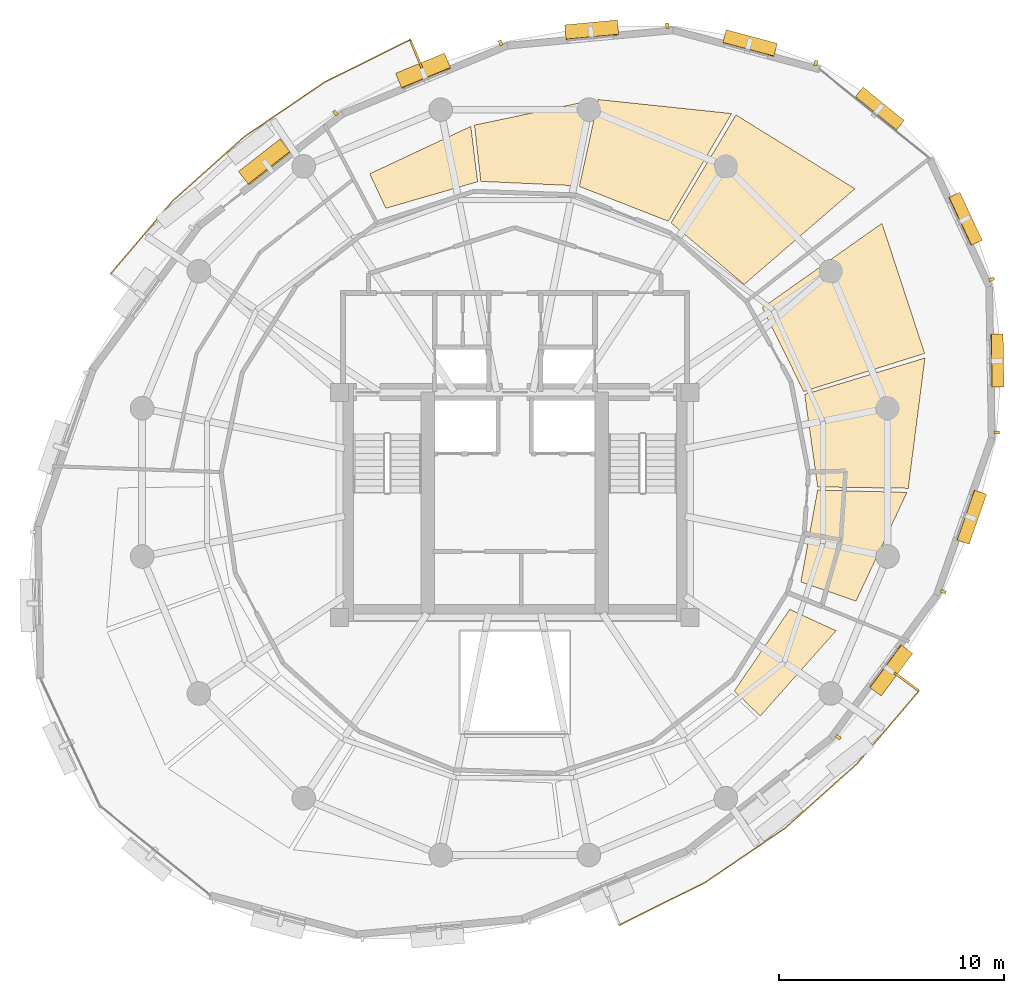
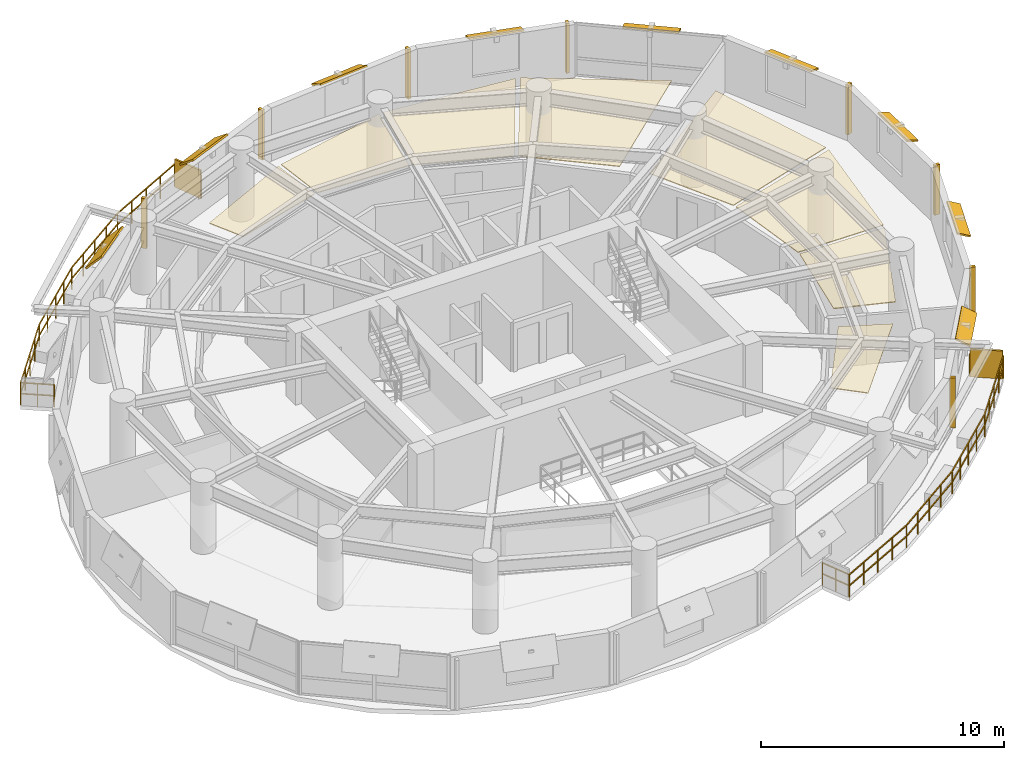
# One storey, part 12 of 12: 19 shading devices, 8 coverings, 2 railings.
"""IFC4 building model written with IfcOpenShell, lengths in metres."""

import ifcopenshell
import ifcopenshell.guid

model = None  # the IFC model being written
_history = None  # IfcOwnerHistory: only IFC2X3 demands one
_inside = {}  # id of a spatial element -> (the spatial element, [elements in it])
_under = {}  # id of a project, library or spatial element -> (it, [spatial elements below it])
_declared = {}  # id of a project -> (the project, [libraries it declares])
_typed = {}  # id of a type object -> (the type object, [elements of that type])
_made_of = {}  # id of a material, layer set ... -> (it, [elements and type objects made of it])


def new_model(schema):
    """Start an empty IFC model of exactly this schema.

    Asked for "IFC4X3", IfcOpenShell would pick the latest addendum, in which some entities
    have other attributes; the version numbers below select the first issue.
    IFC2X3 requires an IfcOwnerHistory on every rooted entity: one is made here for all.
    """
    global model, _history
    if schema == "IFC4X3":
        model = ifcopenshell.file(schema_version=(4, 3, 0, 0))
    else:
        model = ifcopenshell.file(schema=schema)
    _inside.clear()
    _under.clear()
    _declared.clear()
    _typed.clear()
    _made_of.clear()
    _history = None
    if model.schema == "IFC2X3":
        org = make("IfcOrganization", Name="unknown")
        user = make(
            "IfcPersonAndOrganization",
            ThePerson=make("IfcPerson", FamilyName="unknown"),
            TheOrganization=org,
        )
        app = make(
            "IfcApplication",
            ApplicationDeveloper=org,
            Version="unknown",
            ApplicationFullName="unknown",
            ApplicationIdentifier="unknown",
        )
        _history = make(
            "IfcOwnerHistory",
            OwningUser=user,
            OwningApplication=app,
            ChangeAction="ADDED",
            CreationDate=0,
        )
    return model


def make(cls, **values):
    """One entity of the class cls with the attributes given. An attribute that is None is left unset."""
    return model.create_entity(
        cls, **{name: value for name, value in values.items() if value is not None}
    )


def rooted(cls, **values):
    """An entity with a GlobalId (a new one), such as an element, a storey or a relation."""
    return make(cls, GlobalId=ifcopenshell.guid.new(), OwnerHistory=_history, **values)


def si_unit(unit_type, name, prefix=None):
    """IfcSIUnit, for example si_unit("LENGTHUNIT", "METRE", prefix="MILLI")."""
    return make("IfcSIUnit", UnitType=unit_type, Prefix=prefix, Name=name)


def assignment(units):
    """IfcUnitAssignment: the units of a project."""
    return None if units is None else make("IfcUnitAssignment", Units=units)


def point(xyz):
    """IfcCartesianPoint."""
    return None if xyz is None else make("IfcCartesianPoint", Coordinates=xyz)


def direction(xyz):
    """IfcDirection."""
    return None if xyz is None else make("IfcDirection", DirectionRatios=xyz)


def frame(location, z_axis=None, x_axis=None):
    """IfcAxis2Placement3D, a coordinate frame: its origin and axes. An axis left out is left unset."""
    return make(
        "IfcAxis2Placement3D",
        Location=point(location),
        Axis=direction(z_axis),
        RefDirection=direction(x_axis),
    )


def frame_2d(location, x_axis=None):
    """IfcAxis2Placement2D, a coordinate frame in the plane: its origin and x axis."""
    return make(
        "IfcAxis2Placement2D", Location=point(location), RefDirection=direction(x_axis)
    )


def origin():
    """The frame at (0, 0, 0) with its axes left unset."""
    return frame((0.0, 0.0, 0.0))


def origin_2d():
    """The frame at (0, 0) in the plane with its x axis left unset."""
    return frame_2d((0.0, 0.0))


def place(relative_to, where):
    """IfcLocalPlacement: puts the frame where relative to a parent placement (None: the world)."""
    return make(
        "IfcLocalPlacement", PlacementRelTo=relative_to, RelativePlacement=where
    )


def context(
    kind, dimensions, precision=None, world=None, true_north=None, identifier=None
):
    """IfcGeometricRepresentationContext, for example the 3D "Model" context."""
    return make(
        "IfcGeometricRepresentationContext",
        ContextIdentifier=identifier,
        ContextType=kind,
        CoordinateSpaceDimension=dimensions,
        Precision=precision,
        WorldCoordinateSystem=world,
        TrueNorth=true_north,
    )


def subcontext(parent, identifier, kind, view, scale=None):
    """IfcGeometricRepresentationSubContext, for example "Body" below "Model"."""
    return make(
        "IfcGeometricRepresentationSubContext",
        ContextIdentifier=identifier,
        ContextType=kind,
        ParentContext=parent,
        TargetScale=scale,
        TargetView=view,
    )


def project(units=None, contexts=None):
    """IfcProject with its units and contexts."""
    return rooted(
        "IfcProject",
        Name="project",
        RepresentationContexts=contexts,
        UnitsInContext=assignment(units),
    )


def spatial(cls, under=None, at=None, **own):
    """A site, building, storey or space (cls), placed at a placement, below another one or the project."""
    s = rooted(cls, ObjectPlacement=at, **own)
    if under is not None:
        _under.setdefault(under.id(), (under, []))[1].append(s)
    return s


def polyline(points):
    """IfcPolyline through the points."""
    return make("IfcPolyline", Points=[point(p) for p in points])


def profile(cls, at=None, kind="AREA", **sizes):
    """A parametric profile (cls). Its sizes go by their IFC names, for example OverallWidth=200.0."""
    return make(cls, ProfileType=kind, Position=at, **sizes)


def rectangle(**sizes):
    """IfcRectangleProfileDef."""
    return profile("IfcRectangleProfileDef", **sizes)


def outline(outer, holes=None, kind="AREA"):
    """IfcArbitraryClosedProfileDef: a profile drawn as a closed curve; with holes, ...WithVoids."""
    if holes is None:
        return make("IfcArbitraryClosedProfileDef", ProfileType=kind, OuterCurve=outer)
    return make(
        "IfcArbitraryProfileDefWithVoids",
        ProfileType=kind,
        OuterCurve=outer,
        InnerCurves=holes,
    )


def extrude(swept, where, along, depth):
    """IfcExtrudedAreaSolid: the profile swept, set in the frame where, extruded along a direction by depth."""
    return make(
        "IfcExtrudedAreaSolid",
        SweptArea=swept,
        Position=where,
        ExtrudedDirection=direction(along),
        Depth=depth,
    )


def shape(context_of_items, identifier, shape_type, items):
    """IfcShapeRepresentation: the items that make up one representation, for example the "Body"."""
    return make(
        "IfcShapeRepresentation",
        ContextOfItems=context_of_items,
        RepresentationIdentifier=identifier,
        RepresentationType=shape_type,
        Items=items,
    )


def material(Name=None, Category=None):
    """IfcMaterial."""
    return make("IfcMaterial", Name=Name, Category=Category)


def layer(
    of_material, thickness, ventilated=None, Name=None, Category=None, Priority=None
):
    """IfcMaterialLayer: one layer of a wall or slab, of a material (None: an air gap)."""
    return make(
        "IfcMaterialLayer",
        Material=of_material,
        LayerThickness=thickness,
        IsVentilated=ventilated,
        Name=Name,
        Category=Category,
        Priority=Priority,
    )


def layer_set(layers, Name=None):
    """IfcMaterialLayerSet."""
    return make("IfcMaterialLayerSet", MaterialLayers=layers, LayerSetName=Name)


def made_of(thing, what):
    """Note that an element or type object is made of a material, layer set ...; save() writes the relation."""
    if what is not None:
        _made_of.setdefault(what.id(), (what, []))[1].append(thing)
    return thing


def type_object(cls, material=None, **own):
    """A type object (cls), such as IfcWallType, which elements share."""
    return made_of(rooted(cls, **own), material)


def element(
    cls,
    number,
    at=None,
    inside=None,
    cuts=None,
    type_object=None,
    material=None,
    context=None,
    identifier="Body",
    shape_type=None,
    held_by="IfcProductDefinitionShape",
    body=None,
    shapes=None,
    **own,
):
    """One element of the class cls, such as IfcWall. Its Tag is "e" and its number.

    at: its placement. inside: the storey or other place that contains it. cuts: it is an
    opening in that element (IfcRelVoidsElement). A single representation is given by context,
    identifier, shape_type and body (its items); several are given by shapes. held_by: the class
    of the entity that holds the representations. save() writes the other relations.
    """
    e = rooted(cls, Tag="e%d" % number, ObjectPlacement=at, **own)
    if body is not None:
        shapes = [shape(context, identifier, shape_type, body)]
    if shapes is not None:
        e.Representation = make(held_by, Representations=shapes)
    if inside is not None:
        _inside.setdefault(inside.id(), (inside, []))[1].append(e)
    if cuts is not None:
        rooted(
            "IfcRelVoidsElement", RelatingBuildingElement=cuts, RelatedOpeningElement=e
        )
    if type_object is not None:
        _typed.setdefault(type_object.id(), (type_object, []))[1].append(e)
    return made_of(e, material)


def aggregate(whole, parts):
    """IfcRelAggregates: a whole, such as a stair, and the parts it consists of."""
    return rooted("IfcRelAggregates", RelatingObject=whole, RelatedObjects=parts)


def save(model, path):
    """Write the relations noted so far, then the file.

    IfcRelAggregates (storeys below a building ...), IfcRelContainedInSpatialStructure (elements
    in a storey), IfcRelDefinesByType, IfcRelAssociatesMaterial and IfcRelDeclares: one each for
    every whole, place, type object, material and project.
    """
    for whole, parts in _under.values():
        aggregate(whole, parts)
    for where, things in _inside.values():
        rooted(
            "IfcRelContainedInSpatialStructure",
            RelatedElements=things,
            RelatingStructure=where,
        )
    for kind, things in _typed.values():
        rooted("IfcRelDefinesByType", RelatedObjects=things, RelatingType=kind)
    for what, things in _made_of.values():
        rooted("IfcRelAssociatesMaterial", RelatedObjects=things, RelatingMaterial=what)
    for by, libraries in _declared.values():
        rooted("IfcRelDeclares", RelatingContext=by, RelatedDefinitions=libraries)
    model.write(path)


model = new_model("IFC4")

# Units and contexts
model_context = context("Model", 3, precision=1e-05, world=origin(), true_north=direction((0.0, 1.0)))
body_context = subcontext(model_context, "Body", "Model", "MODEL_VIEW")
ifc_project = project(units=[si_unit("LENGTHUNIT", "METRE"), si_unit("AREAUNIT", "SQUARE_METRE"), si_unit("VOLUMEUNIT", "CUBIC_METRE"), si_unit("PLANEANGLEUNIT", "RADIAN"), si_unit("MASSUNIT", "GRAM", prefix="KILO"), si_unit("THERMODYNAMICTEMPERATUREUNIT", "KELVIN"), si_unit("POWERUNIT", "WATT")], contexts=[model_context])

# Site, building, storey
site_placement = place(None, origin())
site = spatial("IfcSite", under=ifc_project, at=site_placement, CompositionType="ELEMENT")
building_placement = place(site_placement, origin())
building = spatial("IfcBuilding", under=site, at=building_placement, Name="Ocrelia Relay Tower", CompositionType="ELEMENT")
storey_placement = place(building_placement, frame((0.0, 0.0, 191.60009765625)))
storey = spatial("IfcBuildingStorey", under=building, at=storey_placement, Name="L46", CompositionType="ELEMENT", Elevation=191.60009765625)

# Coverings
ifc_material_1 = material(Name="Mineral-fiber acoustic ceiling tile", Category="gypsum")
ifc_layer_1 = layer(ifc_material_1, 0.0400390625, Name="Mineral-fiber acoustic ceiling tile")
ifc_layer_set_1 = layer_set([ifc_layer_1], Name="Mineral-fiber acoustic ceiling tile")
covering_type = type_object("IfcCoveringType", Name="COV-CEIL-ACOUSTIC", PredefinedType="CEILING", material=ifc_layer_set_1)
covering_1_placement = place(storey_placement, frame((0.0, 0.0, 2.3798828125)))
element("IfcCovering", 1, at=covering_1_placement, inside=storey, type_object=covering_type, Name="L46 Shift Staff Lounge Suspended Ceiling 1", PredefinedType="CEILING", context=body_context, shape_type="SweptSolid", body=[
    extrude(outline(polyline([(46.720703125, 21.5703125), (49.173095703125, 20.71630859375), (51.440185546875, 25.553466796875), (47.465576171875, 25.6552734375), (46.720703125, 21.5703125)])), origin(), (0.0, 0.0, 1.0), 0.0400390625),
])
covering_2_placement = place(storey_placement, frame((0.0, 0.0, 2.3798828125)))
element("IfcCovering", 2, at=covering_2_placement, inside=storey, type_object=covering_type, Name="L46 Shift Staff Lounge Suspended Ceiling 2", PredefinedType="CEILING", context=body_context, shape_type="SweptSolid", body=[
    extrude(outline(polyline([(47.468505859375, 25.79638671875), (51.4970703125, 25.7353515625), (52.23974609375, 31.530029296875), (46.890625, 29.908203125), (47.468505859375, 25.79638671875)])), origin(), (0.0, 0.0, 1.0), 0.0400390625),
])
covering_3_placement = place(storey_placement, frame((0.0, 0.0, 2.3798828125)))
element("IfcCovering", 3, at=covering_3_placement, inside=storey, type_object=covering_type, Name="L46 Shift Staff Lounge Suspended Ceiling 3", PredefinedType="CEILING", context=body_context, shape_type="SweptSolid", body=[
    extrude(outline(polyline([(46.848876953125, 30.04296875), (52.225830078125, 31.73486328125), (50.327880859375, 37.51806640625), (45.0068359375, 33.764404296875), (46.848876953125, 30.04296875)])), origin(), (0.0, 0.0, 1.0), 0.0400390625),
])
covering_4_placement = place(storey_placement, frame((0.0, 0.0, 2.3798828125)))
element("IfcCovering", 4, at=covering_4_placement, inside=storey, type_object=covering_type, Name="L46 Cloud Engineering Workspace Suspended Ceiling 1", PredefinedType="CEILING", context=body_context, shape_type="SweptSolid", body=[
    extrude(outline(polyline([(44.19677734375, 34.801513671875), (49.1259765625, 39.056396484375), (43.838134765625, 42.34130859375), (40.947509765625, 37.5400390625), (44.19677734375, 34.801513671875)])), origin(), (0.0, 0.0, 1.0), 0.0400390625),
])
covering_5_placement = place(storey_placement, frame((0.0, 0.0, 2.3798828125)))
element("IfcCovering", 5, at=covering_5_placement, inside=storey, type_object=covering_type, Name="L46 Cloud Engineering Workspace Suspended Ceiling 2", PredefinedType="CEILING", context=body_context, shape_type="SweptSolid", body=[
    extrude(outline(polyline([(40.826416015625, 37.612060546875), (43.642333984375, 42.40234375), (37.712158203125, 43.025390625), (36.869384765625, 39.160888671875), (40.826416015625, 37.612060546875)])), origin(), (0.0, 0.0, 1.0), 0.0400390625),
])
covering_6_placement = place(storey_placement, frame((0.0, 0.0, 2.3798828125)))
element("IfcCovering", 6, at=covering_6_placement, inside=storey, type_object=covering_type, Name="L46 Cloud Engineering Workspace Suspended Ceiling 3", PredefinedType="CEILING", context=body_context, shape_type="SweptSolid", body=[
    extrude(outline(polyline([(36.7314453125, 39.190185546875), (37.52294921875, 43.011474609375), (32.2041015625, 41.886962890625), (32.48681640625, 39.384765625), (36.7314453125, 39.190185546875)])), origin(), (0.0, 0.0, 1.0), 0.0400390625),
])
covering_7_placement = place(storey_placement, frame((0.0, 0.0, 2.3798828125)))
element("IfcCovering", 7, at=covering_7_placement, inside=storey, type_object=covering_type, Name="L46 Cloud Engineering Workspace Suspended Ceiling 4", PredefinedType="CEILING", context=body_context, shape_type="SweptSolid", body=[
    extrude(outline(polyline([(32.3466796875, 39.3681640625), (32.042236328125, 41.830810546875), (27.543701171875, 39.720458984375), (28.264892578125, 38.18798828125), (32.3466796875, 39.3681640625)])), origin(), (0.0, 0.0, 1.0), 0.0400390625),
])
covering_8_placement = place(storey_placement, frame((0.0, 0.0, 2.3798828125)))
element("IfcCovering", 8, at=covering_8_placement, inside=storey, type_object=covering_type, Name="L46 Quiet Day Study Suspended Ceiling 8", PredefinedType="CEILING", context=body_context, shape_type="SweptSolid", body=[
    extrude(outline(polyline([(43.758544921875, 16.715087890625), (44.91845703125, 15.611572265625), (48.28515625, 19.3994140625), (46.227783203125, 20.35009765625), (43.758544921875, 16.715087890625)])), origin(), (0.0, 0.0, 1.0), 0.0400390625),
])

# Railings
ifc_material_2 = material(Name="Steel S355 balustrade", Category="steel")
railing_type = type_object("IfcRailingType", Name="RL-EXT-GUARD-1150", PredefinedType="GUARDRAIL", material=ifc_material_2)
railing_1_placement = place(storey_placement, frame((17.143798828125, 34.451171875, 0.0)))
element("IfcRailing", 9, at=railing_1_placement, inside=storey, type_object=railing_type, Name="L46 Loggia Balcony Guard Rail B1", PredefinedType="GUARDRAIL", context=body_context, shape_type="SweptSolid", body=[
    extrude(rectangle(XDim=0.048095703125, YDim=0.048095703125, at=origin_2d()), frame((0.0, 0.0, 1.1259765625), z_axis=(-0.805412390619, 0.592714839562, 0.0), x_axis=(-0.592714839562, -0.805412390619, 0.0)), (0.0, 0.0, 1.0), 1.3935546875),
    extrude(rectangle(XDim=0.048095703125, YDim=0.048095703125, at=origin_2d()), frame((0.0, 0.0, 0.574951171875), z_axis=(-0.805412390619, 0.592714839562, 0.0), x_axis=(-0.592714839562, -0.805412390619, 0.0)), (0.0, 0.0, 1.0), 1.3935546875),
    extrude(rectangle(XDim=0.048095703125, YDim=0.048095703125, at=origin_2d()), frame((-1.122314453125, 0.825927734375, 1.1259765625), z_axis=(0.647874972666, 0.761746690044, 0.0), x_axis=(-0.761746690044, 0.647874972666, 0.0)), (0.0, 0.0, 1.0), 2.126953125),
    extrude(rectangle(XDim=0.048095703125, YDim=0.048095703125, at=origin_2d()), frame((-1.122314453125, 0.825927734375, 0.574951171875), z_axis=(0.647874972666, 0.761746690044, 0.0), x_axis=(-0.761746690044, 0.647874972666, 0.0)), (0.0, 0.0, 1.0), 2.126953125),
    extrude(rectangle(XDim=0.048095703125, YDim=0.048095703125, at=origin_2d()), frame((0.255615234375, 2.446044921875, 1.1259765625), z_axis=(0.647988286895, 0.761650300365, 0.0), x_axis=(-0.761650300365, 0.647988286895, 0.0)), (0.0, 0.0, 1.0), 2.12646484375),
    extrude(rectangle(XDim=0.048095703125, YDim=0.048095703125, at=origin_2d()), frame((0.255615234375, 2.446044921875, 0.574951171875), z_axis=(0.647988286895, 0.761650300365, 0.0), x_axis=(-0.761650300365, 0.647988286895, 0.0)), (0.0, 0.0, 1.0), 2.12646484375),
    extrude(rectangle(XDim=0.048095703125, YDim=0.048095703125, at=origin_2d()), frame((1.633544921875, 4.065673828125, 1.1259765625), z_axis=(0.745016997871, 0.667045480371, 0.0), x_axis=(-0.667045480371, 0.745016997871, 0.0)), (0.0, 0.0, 1.0), 4.299072265625),
    extrude(rectangle(XDim=0.048095703125, YDim=0.048095703125, at=origin_2d()), frame((1.633544921875, 4.065673828125, 0.574951171875), z_axis=(0.745016997871, 0.667045480371, 0.0), x_axis=(-0.667045480371, 0.745016997871, 0.0)), (0.0, 0.0, 1.0), 4.299072265625),
    extrude(rectangle(XDim=0.048095703125, YDim=0.048095703125, at=origin_2d()), frame((4.83642578125, 6.933349609375, 1.1259765625), z_axis=(0.827461639062, 0.561522248785, 0.0), x_axis=(-0.561522248785, 0.827461639062, 0.0)), (0.0, 0.0, 1.0), 4.299072265625),
    extrude(rectangle(XDim=0.048095703125, YDim=0.048095703125, at=origin_2d()), frame((4.83642578125, 6.933349609375, 0.574951171875), z_axis=(0.827461639062, 0.561522248785, 0.0), x_axis=(-0.561522248785, 0.827461639062, 0.0)), (0.0, 0.0, 1.0), 4.299072265625),
    extrude(rectangle(XDim=0.048095703125, YDim=0.048095703125, at=origin_2d()), frame((8.393798828125, 9.347412109375, 1.1259765625), z_axis=(0.895823425423, 0.444410160171, 0.0), x_axis=(-0.444410160171, 0.895823425423, 0.0)), (0.0, 0.0, 1.0), 2.12646484375),
    extrude(rectangle(XDim=0.048095703125, YDim=0.048095703125, at=origin_2d()), frame((8.393798828125, 9.347412109375, 0.574951171875), z_axis=(0.895823425423, 0.444410160171, 0.0), x_axis=(-0.444410160171, 0.895823425423, 0.0)), (0.0, 0.0, 1.0), 2.12646484375),
    extrude(rectangle(XDim=0.048095703125, YDim=0.048095703125, at=origin_2d()), frame((10.298828125, 10.29248046875, 1.1259765625), z_axis=(0.895823425423, 0.444410160171, 0.0), x_axis=(-0.444410160171, 0.895823425423, 0.0)), (0.0, 0.0, 1.0), 2.12646484375),
    extrude(rectangle(XDim=0.048095703125, YDim=0.048095703125, at=origin_2d()), frame((10.298828125, 10.29248046875, 0.574951171875), z_axis=(0.895823425423, 0.444410160171, 0.0), x_axis=(-0.444410160171, 0.895823425423, 0.0)), (0.0, 0.0, 1.0), 2.12646484375),
    extrude(rectangle(XDim=0.048095703125, YDim=0.048095703125, at=origin_2d()), frame((12.203857421875, 11.237548828125, 1.1259765625), z_axis=(0.380406075061, -0.924819559729, 0.0), x_axis=(0.924819559729, 0.380406075061, 0.0)), (0.0, 0.0, 1.0), 1.393310546875),
    extrude(rectangle(XDim=0.048095703125, YDim=0.048095703125, at=origin_2d()), frame((12.203857421875, 11.237548828125, 0.574951171875), z_axis=(0.380406075061, -0.924819559729, 0.0), x_axis=(0.924819559729, 0.380406075061, 0.0)), (0.0, 0.0, 1.0), 1.393310546875),
    extrude(rectangle(XDim=0.0419921875, YDim=0.0419921875, at=origin_2d()), origin(), (0.0, 0.0, 1.0), 1.101806640625),
    extrude(rectangle(XDim=0.0419921875, YDim=0.0419921875, at=origin_2d()), frame((-0.56103515625, 0.4130859375, 0.0)), (0.0, 0.0, 1.0), 1.101806640625),
    extrude(rectangle(XDim=0.0419921875, YDim=0.0419921875, at=origin_2d()), frame((-1.122314453125, 0.825927734375, 0.0)), (0.0, 0.0, 1.0), 1.101806640625),
    extrude(rectangle(XDim=0.0419921875, YDim=0.0419921875, at=origin_2d()), frame((-0.433349609375, 1.635986328125, 0.0)), (0.0, 0.0, 1.0), 1.101806640625),
    extrude(rectangle(XDim=0.0419921875, YDim=0.0419921875, at=origin_2d()), frame((0.255615234375, 2.446044921875, 0.0)), (0.0, 0.0, 1.0), 1.101806640625),
    extrude(rectangle(XDim=0.0419921875, YDim=0.0419921875, at=origin_2d()), frame((0.944580078125, 3.255859375, 0.0)), (0.0, 0.0, 1.0), 1.101806640625),
    extrude(rectangle(XDim=0.0419921875, YDim=0.0419921875, at=origin_2d()), frame((1.633544921875, 4.065673828125, 0.0)), (0.0, 0.0, 1.0), 1.101806640625),
    extrude(rectangle(XDim=0.0419921875, YDim=0.0419921875, at=origin_2d()), frame((2.434326171875, 4.78271484375, 0.0)), (0.0, 0.0, 1.0), 1.101806640625),
    extrude(rectangle(XDim=0.0419921875, YDim=0.0419921875, at=origin_2d()), frame((3.23486328125, 5.49951171875, 0.0)), (0.0, 0.0, 1.0), 1.101806640625),
    extrude(rectangle(XDim=0.0419921875, YDim=0.0419921875, at=origin_2d()), frame((4.03564453125, 6.21630859375, 0.0)), (0.0, 0.0, 1.0), 1.101806640625),
    extrude(rectangle(XDim=0.0419921875, YDim=0.0419921875, at=origin_2d()), frame((4.83642578125, 6.933349609375, 0.0)), (0.0, 0.0, 1.0), 1.101806640625),
    extrude(rectangle(XDim=0.0419921875, YDim=0.0419921875, at=origin_2d()), frame((5.725830078125, 7.536865234375, 0.0)), (0.0, 0.0, 1.0), 1.101806640625),
    extrude(rectangle(XDim=0.0419921875, YDim=0.0419921875, at=origin_2d()), frame((6.615234375, 8.140380859375, 0.0)), (0.0, 0.0, 1.0), 1.101806640625),
    extrude(rectangle(XDim=0.0419921875, YDim=0.0419921875, at=origin_2d()), frame((7.50439453125, 8.743896484375, 0.0)), (0.0, 0.0, 1.0), 1.101806640625),
    extrude(rectangle(XDim=0.0419921875, YDim=0.0419921875, at=origin_2d()), frame((8.393798828125, 9.347412109375, 0.0)), (0.0, 0.0, 1.0), 1.101806640625),
    extrude(rectangle(XDim=0.0419921875, YDim=0.0419921875, at=origin_2d()), frame((9.34619140625, 9.81982421875, 0.0)), (0.0, 0.0, 1.0), 1.101806640625),
    extrude(rectangle(XDim=0.0419921875, YDim=0.0419921875, at=origin_2d()), frame((10.298828125, 10.29248046875, 0.0)), (0.0, 0.0, 1.0), 1.101806640625),
    extrude(rectangle(XDim=0.0419921875, YDim=0.0419921875, at=origin_2d()), frame((11.25146484375, 10.76513671875, 0.0)), (0.0, 0.0, 1.0), 1.101806640625),
    extrude(rectangle(XDim=0.0419921875, YDim=0.0419921875, at=origin_2d()), frame((12.203857421875, 11.237548828125, 0.0)), (0.0, 0.0, 1.0), 1.101806640625),
    extrude(rectangle(XDim=0.0419921875, YDim=0.0419921875, at=origin_2d()), frame((12.46875, 10.59326171875, 0.0)), (0.0, 0.0, 1.0), 1.101806640625),
    extrude(rectangle(XDim=0.0419921875, YDim=0.0419921875, at=origin_2d()), frame((12.73388671875, 9.948974609375, 0.0)), (0.0, 0.0, 1.0), 1.101806640625),
])
railing_2_placement = place(storey_placement, frame((50.856201171875, 17.548828125, 0.0)))
element("IfcRailing", 10, at=railing_2_placement, inside=storey, type_object=railing_type, Name="L46 Loggia Balcony Guard Rail B2", PredefinedType="GUARDRAIL", context=body_context, shape_type="SweptSolid", body=[
    extrude(rectangle(XDim=0.048095703125, YDim=0.048095703125, at=origin_2d()), frame((0.0, 0.0, 1.1259765625), z_axis=(0.805412390619, -0.592714839562, 0.0), x_axis=(0.592714839562, 0.805412390619, 0.0)), (0.0, 0.0, 1.0), 1.3935546875),
    extrude(rectangle(XDim=0.048095703125, YDim=0.048095703125, at=origin_2d()), frame((0.0, 0.0, 0.574951171875), z_axis=(0.805412390619, -0.592714839562, 0.0), x_axis=(0.592714839562, 0.805412390619, 0.0)), (0.0, 0.0, 1.0), 1.3935546875),
    extrude(rectangle(XDim=0.048095703125, YDim=0.048095703125, at=origin_2d()), frame((1.122314453125, -0.825927734375, 1.1259765625), z_axis=(-0.647874972666, -0.761746690044, 0.0), x_axis=(0.761746690044, -0.647874972666, 0.0)), (0.0, 0.0, 1.0), 2.126953125),
    extrude(rectangle(XDim=0.048095703125, YDim=0.048095703125, at=origin_2d()), frame((1.122314453125, -0.825927734375, 0.574951171875), z_axis=(-0.647874972666, -0.761746690044, 0.0), x_axis=(0.761746690044, -0.647874972666, 0.0)), (0.0, 0.0, 1.0), 2.126953125),
    extrude(rectangle(XDim=0.048095703125, YDim=0.048095703125, at=origin_2d()), frame((-0.255615234375, -2.446044921875, 1.1259765625), z_axis=(-0.647988286895, -0.761650300365, 0.0), x_axis=(0.761650300365, -0.647988286895, 0.0)), (0.0, 0.0, 1.0), 2.12646484375),
    extrude(rectangle(XDim=0.048095703125, YDim=0.048095703125, at=origin_2d()), frame((-0.255615234375, -2.446044921875, 0.574951171875), z_axis=(-0.647988286895, -0.761650300365, 0.0), x_axis=(0.761650300365, -0.647988286895, 0.0)), (0.0, 0.0, 1.0), 2.12646484375),
    extrude(rectangle(XDim=0.048095703125, YDim=0.048095703125, at=origin_2d()), frame((-1.633544921875, -4.065673828125, 1.1259765625), z_axis=(-0.745016997871, -0.667045480371, 0.0), x_axis=(0.667045480371, -0.745016997871, 0.0)), (0.0, 0.0, 1.0), 4.299072265625),
    extrude(rectangle(XDim=0.048095703125, YDim=0.048095703125, at=origin_2d()), frame((-1.633544921875, -4.065673828125, 0.574951171875), z_axis=(-0.745016997871, -0.667045480371, 0.0), x_axis=(0.667045480371, -0.745016997871, 0.0)), (0.0, 0.0, 1.0), 4.299072265625),
    extrude(rectangle(XDim=0.048095703125, YDim=0.048095703125, at=origin_2d()), frame((-4.83642578125, -6.933349609375, 1.1259765625), z_axis=(-0.827461639062, -0.561522248785, 0.0), x_axis=(0.561522248785, -0.827461639062, 0.0)), (0.0, 0.0, 1.0), 4.299072265625),
    extrude(rectangle(XDim=0.048095703125, YDim=0.048095703125, at=origin_2d()), frame((-4.83642578125, -6.933349609375, 0.574951171875), z_axis=(-0.827461639062, -0.561522248785, 0.0), x_axis=(0.561522248785, -0.827461639062, 0.0)), (0.0, 0.0, 1.0), 4.299072265625),
    extrude(rectangle(XDim=0.048095703125, YDim=0.048095703125, at=origin_2d()), frame((-8.393798828125, -9.347412109375, 1.1259765625), z_axis=(-0.895823425423, -0.444410160171, 0.0), x_axis=(0.444410160171, -0.895823425423, 0.0)), (0.0, 0.0, 1.0), 2.12646484375),
    extrude(rectangle(XDim=0.048095703125, YDim=0.048095703125, at=origin_2d()), frame((-8.393798828125, -9.347412109375, 0.574951171875), z_axis=(-0.895823425423, -0.444410160171, 0.0), x_axis=(0.444410160171, -0.895823425423, 0.0)), (0.0, 0.0, 1.0), 2.12646484375),
    extrude(rectangle(XDim=0.048095703125, YDim=0.048095703125, at=origin_2d()), frame((-10.298828125, -10.29248046875, 1.1259765625), z_axis=(-0.895823425423, -0.444410160171, 0.0), x_axis=(0.444410160171, -0.895823425423, 0.0)), (0.0, 0.0, 1.0), 2.12646484375),
    extrude(rectangle(XDim=0.048095703125, YDim=0.048095703125, at=origin_2d()), frame((-10.298828125, -10.29248046875, 0.574951171875), z_axis=(-0.895823425423, -0.444410160171, 0.0), x_axis=(0.444410160171, -0.895823425423, 0.0)), (0.0, 0.0, 1.0), 2.12646484375),
    extrude(rectangle(XDim=0.048095703125, YDim=0.048095703125, at=origin_2d()), frame((-12.203857421875, -11.237548828125, 1.1259765625), z_axis=(-0.380406075061, 0.924819559729, 0.0), x_axis=(-0.924819559729, -0.380406075061, 0.0)), (0.0, 0.0, 1.0), 1.393310546875),
    extrude(rectangle(XDim=0.048095703125, YDim=0.048095703125, at=origin_2d()), frame((-12.203857421875, -11.237548828125, 0.574951171875), z_axis=(-0.380406075061, 0.924819559729, 0.0), x_axis=(-0.924819559729, -0.380406075061, 0.0)), (0.0, 0.0, 1.0), 1.393310546875),
    extrude(rectangle(XDim=0.0419921875, YDim=0.0419921875, at=origin_2d()), origin(), (0.0, 0.0, 1.0), 1.101806640625),
    extrude(rectangle(XDim=0.0419921875, YDim=0.0419921875, at=origin_2d()), frame((0.56103515625, -0.4130859375, 0.0)), (0.0, 0.0, 1.0), 1.101806640625),
    extrude(rectangle(XDim=0.0419921875, YDim=0.0419921875, at=origin_2d()), frame((1.122314453125, -0.825927734375, 0.0)), (0.0, 0.0, 1.0), 1.101806640625),
    extrude(rectangle(XDim=0.0419921875, YDim=0.0419921875, at=origin_2d()), frame((0.433349609375, -1.635986328125, 0.0)), (0.0, 0.0, 1.0), 1.101806640625),
    extrude(rectangle(XDim=0.0419921875, YDim=0.0419921875, at=origin_2d()), frame((-0.255615234375, -2.446044921875, 0.0)), (0.0, 0.0, 1.0), 1.101806640625),
    extrude(rectangle(XDim=0.0419921875, YDim=0.0419921875, at=origin_2d()), frame((-0.944580078125, -3.255859375, 0.0)), (0.0, 0.0, 1.0), 1.101806640625),
    extrude(rectangle(XDim=0.0419921875, YDim=0.0419921875, at=origin_2d()), frame((-1.633544921875, -4.065673828125, 0.0)), (0.0, 0.0, 1.0), 1.101806640625),
    extrude(rectangle(XDim=0.0419921875, YDim=0.0419921875, at=origin_2d()), frame((-2.434326171875, -4.78271484375, 0.0)), (0.0, 0.0, 1.0), 1.101806640625),
    extrude(rectangle(XDim=0.0419921875, YDim=0.0419921875, at=origin_2d()), frame((-3.23486328125, -5.49951171875, 0.0)), (0.0, 0.0, 1.0), 1.101806640625),
    extrude(rectangle(XDim=0.0419921875, YDim=0.0419921875, at=origin_2d()), frame((-4.03564453125, -6.21630859375, 0.0)), (0.0, 0.0, 1.0), 1.101806640625),
    extrude(rectangle(XDim=0.0419921875, YDim=0.0419921875, at=origin_2d()), frame((-4.83642578125, -6.933349609375, 0.0)), (0.0, 0.0, 1.0), 1.101806640625),
    extrude(rectangle(XDim=0.0419921875, YDim=0.0419921875, at=origin_2d()), frame((-5.725830078125, -7.536865234375, 0.0)), (0.0, 0.0, 1.0), 1.101806640625),
    extrude(rectangle(XDim=0.0419921875, YDim=0.0419921875, at=origin_2d()), frame((-6.615234375, -8.140380859375, 0.0)), (0.0, 0.0, 1.0), 1.101806640625),
    extrude(rectangle(XDim=0.0419921875, YDim=0.0419921875, at=origin_2d()), frame((-7.50439453125, -8.743896484375, 0.0)), (0.0, 0.0, 1.0), 1.101806640625),
    extrude(rectangle(XDim=0.0419921875, YDim=0.0419921875, at=origin_2d()), frame((-8.393798828125, -9.347412109375, 0.0)), (0.0, 0.0, 1.0), 1.101806640625),
    extrude(rectangle(XDim=0.0419921875, YDim=0.0419921875, at=origin_2d()), frame((-9.34619140625, -9.81982421875, 0.0)), (0.0, 0.0, 1.0), 1.101806640625),
    extrude(rectangle(XDim=0.0419921875, YDim=0.0419921875, at=origin_2d()), frame((-10.298828125, -10.29248046875, 0.0)), (0.0, 0.0, 1.0), 1.101806640625),
    extrude(rectangle(XDim=0.0419921875, YDim=0.0419921875, at=origin_2d()), frame((-11.25146484375, -10.76513671875, 0.0)), (0.0, 0.0, 1.0), 1.101806640625),
    extrude(rectangle(XDim=0.0419921875, YDim=0.0419921875, at=origin_2d()), frame((-12.203857421875, -11.237548828125, 0.0)), (0.0, 0.0, 1.0), 1.101806640625),
    extrude(rectangle(XDim=0.0419921875, YDim=0.0419921875, at=origin_2d()), frame((-12.46875, -10.59326171875, 0.0)), (0.0, 0.0, 1.0), 1.101806640625),
    extrude(rectangle(XDim=0.0419921875, YDim=0.0419921875, at=origin_2d()), frame((-12.73388671875, -9.948974609375, 0.0)), (0.0, 0.0, 1.0), 1.101806640625),
])

# Shading devices
ifc_material_3 = material(Name="Perforated oxide terracotta solar screen", Category="masonry")
ifc_layer_2 = layer(ifc_material_3, 0.090087890625, Name="Perforated oxide terracotta solar screen")
ifc_layer_set_2 = layer_set([ifc_layer_2], Name="Perforated oxide terracotta solar screen")
shading_device_type_1 = type_object("IfcShadingDeviceType", Name="SH-BALC-SCREEN", PredefinedType="USERDEFINED", material=ifc_layer_set_2)
for number, where, z_axis, x_axis, name in (
    (11, (29.61279296875, 45.04443359375, 0.0), (0.0, 0.0, 1.0), (-0.380356335331, 0.92484001761, 0.0), "L46 Balcony Perforated Terracotta Screen B1-1"),
    (12, (51.417236328125, 17.1357421875, 0.0), (0.0, 0.0, 1.0), (0.805383989421, -0.592753430681, 0.0), "L46 Balcony Perforated Terracotta Screen B2-2"),
):
    element("IfcShadingDevice", number, at=place(storey_placement, frame(where, z_axis=z_axis, x_axis=x_axis)), inside=storey, type_object=shading_device_type_1, Name=name, ObjectType="SCREEN", PredefinedType="USERDEFINED", context=body_context, shape_type="SweptSolid", body=[
        extrude(rectangle(XDim=1.340087890625, YDim=0.090087890625, at=origin_2d()), origin(), (0.0, 0.0, 1.0), 1.39990234375),
    ])
ifc_material_4 = material(Name="Extruded oxide terracotta vertical baguette", Category="masonry")
shading_device_type_2 = type_object("IfcShadingDeviceType", Name="SH-TERR-BAGUETTE", PredefinedType="USERDEFINED", material=ifc_material_4)
for number, where, z_axis, x_axis, name in (
    (13, (47.3857421875, 44.64599609375, 0.079833984375), (0.0, 0.0, 1.0), (-0.966121653723, 0.258087098105, 0.0), "L46 Oxide Terracotta Vertical Baguette 02"),
    (14, (40.781494140625, 46.3095703125, 0.079833984375), (0.0, 0.0, 1.0), (-0.995717407772, -0.092449142017, 0.0), "L46 Oxide Terracotta Vertical Baguette 03"),
    (15, (33.3662109375, 45.539794921875, 0.079833984375), (0.0, 0.0, 1.0), (-0.92426790959, -0.381744458116, 0.0), "L46 Oxide Terracotta Vertical Baguette 04"),
    (16, (26.018310546875, 42.42626953125, 0.079833984375), (0.0, 0.0, 1.0), (-0.788007956914, -0.615665054912, 0.0), "L46 Oxide Terracotta Vertical Baguette 05"),
    (17, (48.382568359375, 14.6669921875, 0.079833984375), (0.0, 0.0, 1.0), (0.594004722236, 0.804461552818, 0.0), "L46 Oxide Terracotta Vertical Baguette 15"),
    (18, (53.06005859375, 21.13818359375, 0.079833984375), (0.0, 0.0, 1.0), (0.330596085787, 0.943772339106, 0.0), "L46 Oxide Terracotta Vertical Baguette 16"),
    (19, (55.435302734375, 28.212890625, 0.079833984375), (0.0, 0.0, 1.0), (-0.016693748492, 0.999860649671, 0.0), "L46 Oxide Terracotta Vertical Baguette 17"),
    (20, (55.20361328125, 35.028076171875, 0.079833984375), (0.0, 0.0, 1.0), (-0.422921190321, 0.906166467476, 0.0), "L46 Oxide Terracotta Vertical Baguette 18"),
):
    element("IfcShadingDevice", number, at=place(storey_placement, frame(where, z_axis=z_axis, x_axis=x_axis)), inside=storey, type_object=shading_device_type_2, Name=name, ObjectType="BAGUETTE", PredefinedType="USERDEFINED", context=body_context, shape_type="SweptSolid", body=[
        extrude(rectangle(XDim=0.139892578125, YDim=0.239990234375, at=origin_2d()), origin(), (0.0, 0.0, 1.0), 2.5),
    ])
ifc_material_5 = material(Name="Extruded oxide terracotta fin", Category="masonry")
ifc_layer_3 = layer(ifc_material_5, 0.080078125, Name="Extruded oxide terracotta fin")
ifc_layer_set_3 = layer_set([ifc_layer_3], Name="Extruded oxide terracotta fin")
shading_device_type_3 = type_object("IfcShadingDeviceType", Name="SH-VISOR-FIN-MED", PredefinedType="USERDEFINED", material=ifc_layer_set_3)
shading_device_1_placement = place(storey_placement, frame((29.934326171875, 44.27587890625, 2.468017578125), z_axis=(-0.228833958592, 0.554045723663, 0.800417613178), x_axis=(-0.92426790959, -0.381744458116, 0.0)))
element("IfcShadingDevice", 21, at=shading_device_1_placement, inside=storey, type_object=shading_device_type_3, Name="L46 Canted Terracotta Sun-Visor Fin 04", ObjectType="FIN", PredefinedType="USERDEFINED", context=body_context, shape_type="SweptSolid", body=[
    extrude(rectangle(XDim=2.35009765625, YDim=0.864013671875, at=origin_2d()), origin(), (0.0, 0.0, 1.0), 0.080078125),
])
shading_device_2_placement = place(storey_placement, frame((22.887451171875, 40.223388671875, 2.472900390625), z_axis=(-0.453189253562, 0.580050361712, 0.676875969683), x_axis=(-0.788007956914, -0.615665054912, 0.0)))
element("IfcShadingDevice", 22, at=shading_device_2_placement, inside=storey, type_object=shading_device_type_3, Name="L46 Canted Terracotta Sun-Visor Fin 05", ObjectType="FIN", PredefinedType="USERDEFINED", context=body_context, shape_type="SweptSolid", body=[
    extrude(rectangle(XDim=2.35009765625, YDim=1.0400390625, at=origin_2d()), origin(), (0.0, 0.0, 1.0), 0.080078125),
])
ifc_layer_4 = layer(ifc_material_5, 0.080078125, Name="Extruded oxide terracotta fin")
ifc_layer_set_4 = layer_set([ifc_layer_4], Name="Extruded oxide terracotta fin")
shading_device_type_4 = type_object("IfcShadingDeviceType", Name="SH-VISOR-FIN-SHAL", PredefinedType="USERDEFINED", material=ifc_layer_set_4)
shading_device_3_placement = place(storey_placement, frame((50.21484375, 42.603515625, 2.462158203125), z_axis=(0.210675947653, 0.259985464108, 0.94234983076), x_axis=(-0.776935646541, 0.629580019644, 0.0)))
element("IfcShadingDevice", 23, at=shading_device_3_placement, inside=storey, type_object=shading_device_type_4, Name="L46 Canted Terracotta Sun-Visor Fin 01", ObjectType="FIN", PredefinedType="USERDEFINED", context=body_context, shape_type="SweptSolid", body=[
    extrude(rectangle(XDim=2.35009765625, YDim=0.575927734375, at=origin_2d()), origin(), (0.0, 0.0, 1.0), 0.080078125),
])
shading_device_4_placement = place(storey_placement, frame((44.454833984375, 45.513916015625, 2.463134765625), z_axis=(0.099971246609, 0.374231748925, 0.921930771776), x_axis=(-0.966121653723, 0.258087098105, 0.0)))
element("IfcShadingDevice", 24, at=shading_device_4_placement, inside=storey, type_object=shading_device_type_4, Name="L46 Canted Terracotta Sun-Visor Fin 02", ObjectType="FIN", PredefinedType="USERDEFINED", context=body_context, shape_type="SweptSolid", body=[
    extrude(rectangle(XDim=2.35009765625, YDim=0.6298828125, at=origin_2d()), origin(), (0.0, 0.0, 1.0), 0.080078125),
])
shading_device_5_placement = place(storey_placement, frame((37.421142578125, 46.09912109375, 2.46484375), z_axis=(-0.043914265346, 0.472975708599, 0.879980406813), x_axis=(-0.995717407772, -0.092449142017, 0.0)))
element("IfcShadingDevice", 25, at=shading_device_5_placement, inside=storey, type_object=shading_device_type_4, Name="L46 Canted Terracotta Sun-Visor Fin 03", ObjectType="FIN", PredefinedType="USERDEFINED", context=body_context, shape_type="SweptSolid", body=[
    extrude(rectangle(XDim=2.35009765625, YDim=0.722900390625, at=origin_2d()), origin(), (0.0, 0.0, 1.0), 0.080078125),
])
shading_device_6_placement = place(storey_placement, frame((50.713134765625, 17.650634765625, 2.46435546875), z_axis=(0.366218360422, -0.270411226861, 0.890371765543), x_axis=(0.594004722236, 0.804461552818, 0.0)))
element("IfcShadingDevice", 26, at=shading_device_6_placement, inside=storey, type_object=shading_device_type_4, Name="L46 Canted Terracotta Sun-Visor Fin 15", ObjectType="FIN", PredefinedType="USERDEFINED", context=body_context, shape_type="SweptSolid", body=[
    extrude(rectangle(XDim=2.35009765625, YDim=0.700927734375, at=origin_2d()), origin(), (0.0, 0.0, 1.0), 0.080078125),
])
shading_device_7_placement = place(storey_placement, frame((54.300048828125, 24.45849609375, 2.462646484375), z_axis=(0.339447657983, -0.118905865757, 0.933079140576), x_axis=(0.330596085787, 0.943772339106, 0.0)))
element("IfcShadingDevice", 27, at=shading_device_7_placement, inside=storey, type_object=shading_device_type_4, Name="L46 Canted Terracotta Sun-Visor Fin 16", ObjectType="FIN", PredefinedType="USERDEFINED", context=body_context, shape_type="SweptSolid", body=[
    extrude(rectangle(XDim=2.35009765625, YDim=0.60107421875, at=origin_2d()), origin(), (0.0, 0.0, 1.0), 0.080078125),
])
shading_device_8_placement = place(storey_placement, frame((55.446533203125, 31.41845703125, 2.4619140625), z_axis=(0.316101768949, 0.005277658872, 0.948710608133), x_axis=(-0.016693748492, 0.999860649671, 0.0)))
element("IfcShadingDevice", 28, at=shading_device_8_placement, inside=storey, type_object=shading_device_type_4, Name="L46 Canted Terracotta Sun-Visor Fin 17", ObjectType="FIN", PredefinedType="USERDEFINED", context=body_context, shape_type="SweptSolid", body=[
    extrude(rectangle(XDim=2.35009765625, YDim=0.556884765625, at=origin_2d()), origin(), (0.0, 0.0, 1.0), 0.080078125),
])
shading_device_9_placement = place(storey_placement, frame((54.0283203125, 37.71337890625, 2.4619140625), z_axis=(0.281524562767, 0.131391645424, 0.950515731628), x_axis=(-0.422921190321, 0.906166467476, 0.0)))
element("IfcShadingDevice", 29, at=shading_device_9_placement, inside=storey, type_object=shading_device_type_4, Name="L46 Canted Terracotta Sun-Visor Fin 18", ObjectType="FIN", PredefinedType="USERDEFINED", context=body_context, shape_type="SweptSolid", body=[
    extrude(rectangle(XDim=2.35009765625, YDim=0.552001953125, at=origin_2d()), origin(), (0.0, 0.0, 1.0), 0.080078125),
])

save(model, "model.ifc")
